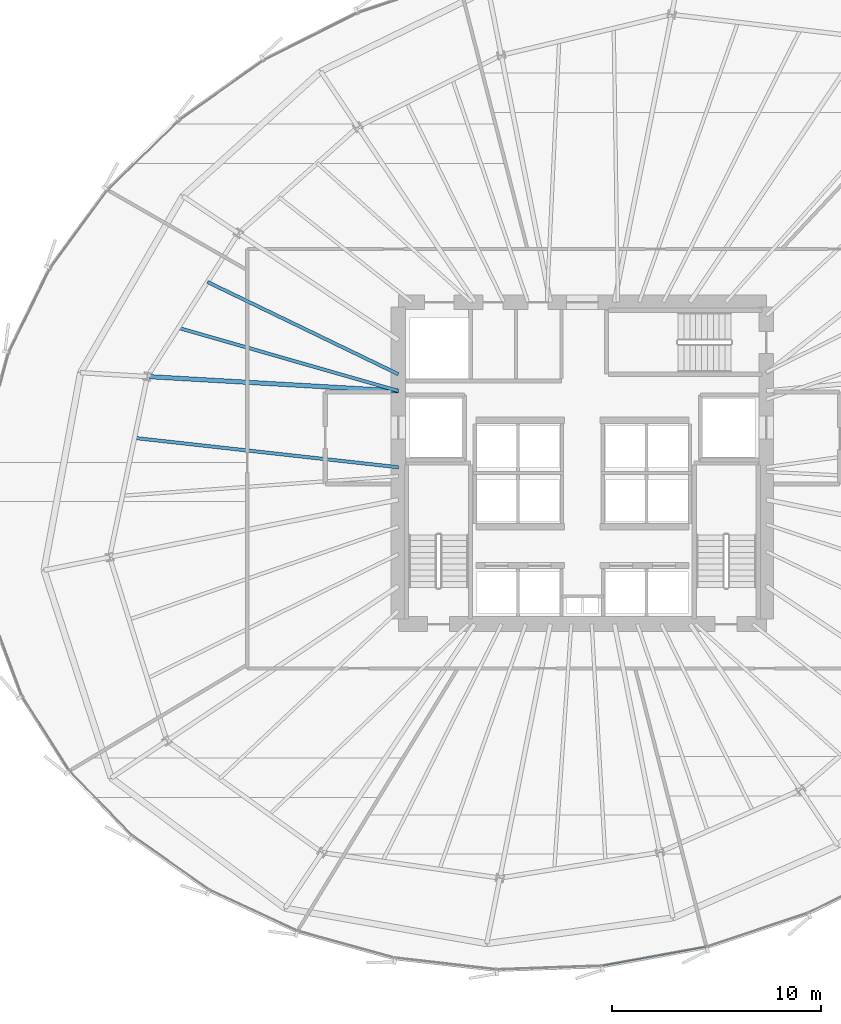
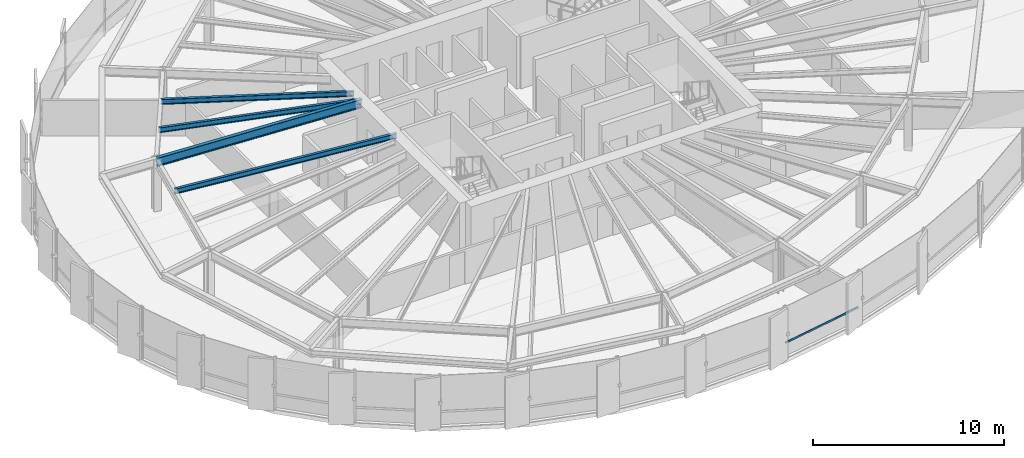
# One storey, part 10 of 35: 4 beams, 1 member, 1 element without a shape of its own.
"""IFC4 building model written with IfcOpenShell, lengths in metres."""

from ifc_helpers import new_model, si_unit, direction, frame, origin, origin_2d, place, context, subcontext, project, spatial, hollow_rectangle, i_section, extrude, source, transform, mapped, material, layer, layer_set, material_profile, profile_set, type_object, element, aggregate, save


model = new_model("IFC4")

# Units and contexts
model_context = context("Model", 3, precision=1e-05, world=origin(), true_north=direction((0.0, 1.0)))
body_context = subcontext(model_context, "Body", "Model", "MODEL_VIEW")
ifc_project = project(units=[si_unit("LENGTHUNIT", "METRE"), si_unit("AREAUNIT", "SQUARE_METRE"), si_unit("VOLUMEUNIT", "CUBIC_METRE"), si_unit("PLANEANGLEUNIT", "RADIAN"), si_unit("MASSUNIT", "GRAM", prefix="KILO"), si_unit("THERMODYNAMICTEMPERATUREUNIT", "KELVIN")], contexts=[model_context])

# Site, building, storey
site_placement = place(None, origin())
site = spatial("IfcSite", under=ifc_project, at=site_placement, CompositionType="ELEMENT")
building_placement = place(site_placement, origin())
building = spatial("IfcBuilding", under=site, at=building_placement, Name="Kethvar Cultural Tower", CompositionType="ELEMENT")
storey_placement = place(building_placement, frame((0.0, 0.0, 92.800048828125)))
storey = spatial("IfcBuildingStorey", under=building, at=storey_placement, Name="L22", CompositionType="ELEMENT", Elevation=92.800048828125)

# Beams
ifc_material_1 = material(Name="Steel S355J2", Category="steel")
ifc_material_profile_1 = material_profile(ifc_material_1, i_section(OverallWidth=0.2099609375, OverallDepth=0.550048828125, WebThickness=0.010986328125, FlangeThickness=0.01708984375, FilletRadius=0.02392578125, at=origin_2d()), Name="Steel S355J2 — IPE550")
ifc_profile_set_1 = profile_set([ifc_material_profile_1], Name="Steel S355J2 — IPE550")
beam_type_1 = type_object("IfcBeamType", Name="BM-IPE550", PredefinedType="BEAM", material=ifc_profile_set_1)
shared_shape_1 = source(origin(), body_context, "Body", "SweptSolid", [
    extrude(i_section(OverallWidth=0.2099609375, OverallDepth=0.550048828125, WebThickness=0.010986328125, FlangeThickness=0.01708984375, FilletRadius=0.02392578125, at=origin_2d()), origin(), (0.0, 0.0, 1.0), 12.03125),
])
beam_1_placement = place(storey_placement, frame((38.0, 31.25, 3.072998046875), z_axis=(-0.998355544741, 0.057325441856, 0.0), x_axis=(-0.057325441856, -0.998355544741, 0.0)))
element("IfcBeam", 1, at=beam_1_placement, inside=storey, type_object=beam_type_1, Name="L22 Primary Radial Beam RB-08", PredefinedType="BEAM", context=body_context, shape_type="MappedRepresentation", body=[
    mapped(shared_shape_1, transform((0.0, 0.0, 0.0), scale=1.0)),
])
ifc_material_profile_2 = material_profile(ifc_material_1, i_section(OverallWidth=0.159912109375, OverallDepth=0.330078125, WebThickness=0.007568359375, FlangeThickness=0.011474609375, FilletRadius=0.01806640625, at=origin_2d()), Name="Steel S355J2 — IPE330")
ifc_profile_set_2 = profile_set([ifc_material_profile_2], Name="Steel S355J2 — IPE330")
beam_type_2 = type_object("IfcBeamType", Name="BM-J330", PredefinedType="JOIST", material=ifc_profile_set_2)
shared_shape_2 = source(origin(), body_context, "Body", "SweptSolid", [
    extrude(i_section(OverallWidth=0.159912109375, OverallDepth=0.330078125, WebThickness=0.007568359375, FlangeThickness=0.011474609375, FilletRadius=0.01806640625, at=origin_2d()), origin(), (0.0, 0.0, 1.0), 10.1455078125),
])
beam_2_placement = place(storey_placement, frame((38.0, 32.05078125, 3.182861328125), z_axis=(-0.90045122575, 0.434956997927, 0.0), x_axis=(-0.434956997927, -0.90045122575, 0.0)))
element("IfcBeam", 2, at=beam_2_placement, inside=storey, type_object=beam_type_2, Name="L22 Composite Floor Joist J-07A", PredefinedType="JOIST", context=body_context, shape_type="MappedRepresentation", body=[
    mapped(shared_shape_2, transform((0.0, 0.0, 0.0), scale=1.0)),
])
shared_shape_3 = source(origin(), body_context, "Body", "SweptSolid", [
    extrude(i_section(OverallWidth=0.159912109375, OverallDepth=0.330078125, WebThickness=0.007568359375, FlangeThickness=0.011474609375, FilletRadius=0.01806640625, at=origin_2d()), origin(), (0.0, 0.0, 1.0), 10.95458984375),
])
beam_3_placement = place(storey_placement, frame((38.0, 31.25, 3.182861328125), z_axis=(-0.96124170623, 0.275707058676, 0.0), x_axis=(-0.275707058676, -0.96124170623, 0.0)))
element("IfcBeam", 3, at=beam_3_placement, inside=storey, type_object=beam_type_2, Name="L22 Composite Floor Joist J-07B", PredefinedType="JOIST", context=body_context, shape_type="MappedRepresentation", body=[
    mapped(shared_shape_3, transform((0.0, 0.0, 0.0), scale=1.0)),
])
shared_shape_4 = source(origin(), body_context, "Body", "SweptSolid", [
    extrude(i_section(OverallWidth=0.159912109375, OverallDepth=0.330078125, WebThickness=0.007568359375, FlangeThickness=0.011474609375, FilletRadius=0.01806640625, at=origin_2d()), origin(), (0.0, 0.0, 1.0), 12.7021484375),
])
beam_4_placement = place(storey_placement, frame((38.0, 27.60009765625, 3.182861328125), z_axis=(-0.993884906591, 0.110420978309, 0.0), x_axis=(-0.110420978309, -0.993884906591, 0.0)))
element("IfcBeam", 4, at=beam_4_placement, inside=storey, type_object=beam_type_2, Name="L22 Composite Floor Joist J-08A", PredefinedType="JOIST", context=body_context, shape_type="MappedRepresentation", body=[
    mapped(shared_shape_4, transform((0.0, 0.0, 0.0), scale=1.0)),
])

# Curtain wall, member
ifc_material_2 = material(Name="Aluminium 6063-T6", Category="aluminium")
ifc_layer = layer(ifc_material_2, 0.179931640625, Name="Aluminium 6063-T6", Category="aluminium")
ifc_layer_set = layer_set([ifc_layer], Name="Aluminium 6063-T6 (180 mm)")
curtain_wall_type = type_object("IfcCurtainWallType", Name="CW-SYS-03-Z2", PredefinedType="NOTDEFINED", material=ifc_layer_set)
curtain_wall_placement = place(storey_placement, origin())
curtain_wall = element("IfcCurtainWall", 5, at=curtain_wall_placement, inside=storey, type_object=curtain_wall_type, Name="L22 Curtain Wall Run 05", PredefinedType="NOTDEFINED")
ifc_material_profile_3 = material_profile(ifc_material_2, hollow_rectangle(XDim=0.054931640625, YDim=0.1201171875, WallThickness=0.00390625, at=origin_2d()), Name="Aluminium 6063-T6 — RHS120x55x4")
ifc_profile_set_3 = profile_set([ifc_material_profile_3], Name="Aluminium 6063-T6 — RHS120x55x4")
member_type = type_object("IfcMemberType", Name="CW-SYS-03-Z2-TRN", PredefinedType="USERDEFINED", material=ifc_profile_set_3)
shared_shape_5 = source(origin(), body_context, "Body", "SweptSolid", [
    extrude(hollow_rectangle(XDim=0.054931640625, YDim=0.1201171875, WallThickness=0.00390625, at=origin_2d()), origin(), (0.0, 0.0, 1.0), 5.010986328125),
])
member_placement = place(storey_placement, frame((47.77587890625, 3.76171875, 0.949951171875), z_axis=(0.983892509261, 0.178761098172, 0.0), x_axis=(-0.178761098172, 0.983892509261, 0.0)))
member = element("IfcMember", 6, at=member_placement, type_object=member_type, Name="CW-L22-R05 Transom 3", ObjectType="TRANSOM", PredefinedType="USERDEFINED", context=body_context, shape_type="MappedRepresentation", body=[
    mapped(shared_shape_5, transform((0.0, 0.0, 0.0), scale=1.0)),
])
aggregate(curtain_wall, [member])

save(model, "model.ifc")
